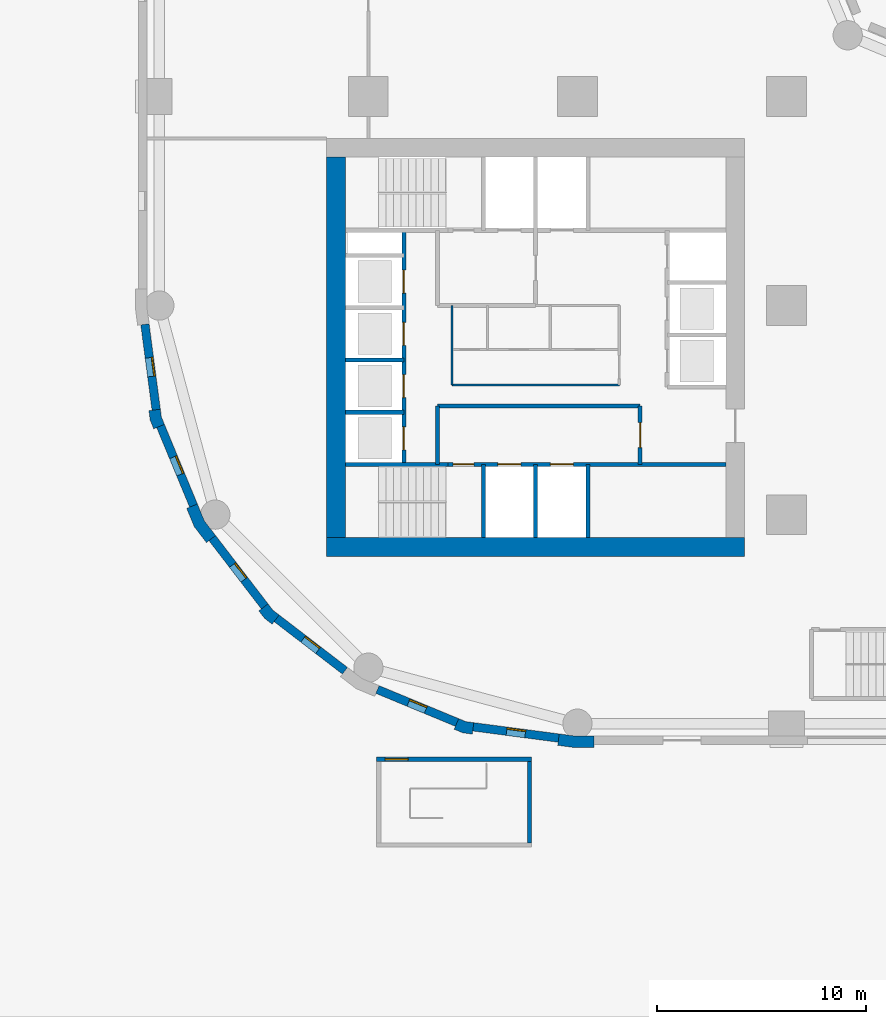
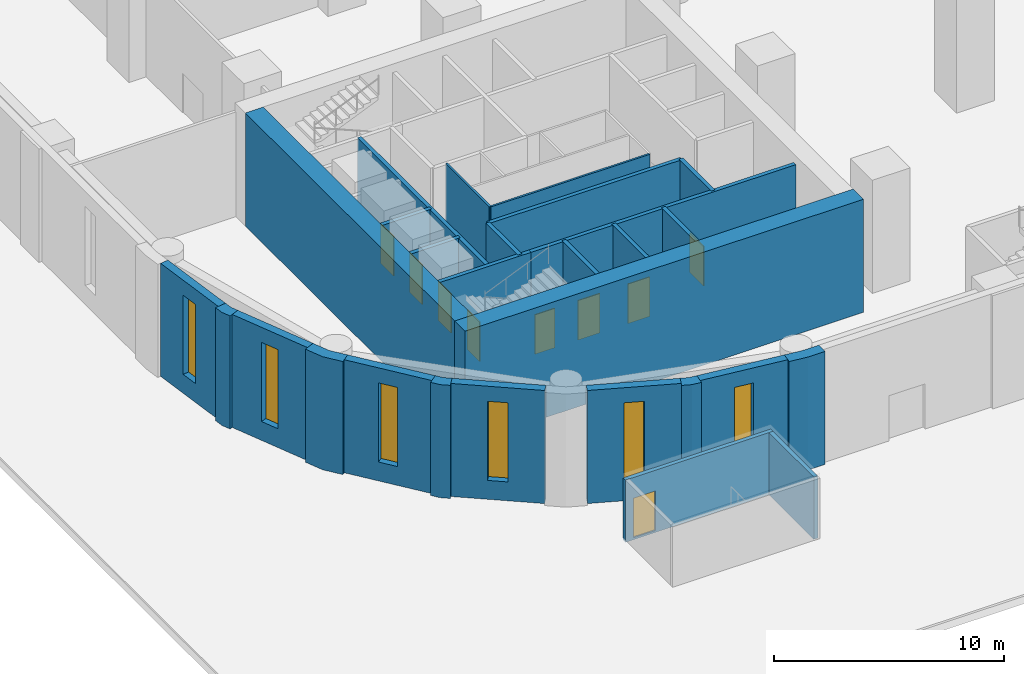
# One storey, part 7 of 21: 28 walls, 9 doors, 6 windows, 15 openings.
"""IFC4 building model written with IfcOpenShell, lengths in metres."""

from ifc_helpers import new_model, si_unit, direction, frame, frame_2d, origin, place, context, subcontext, project, spatial, polyline, rectangle, outline, extrude, material, layer, layer_set, type_object, element, fill, save


model = new_model("IFC4")

# Units and contexts
model_context = context("Model", 3, precision=1e-05, world=origin(), true_north=direction((0.0, 1.0)))
body_context = subcontext(model_context, "Body", "Model", "MODEL_VIEW")
ifc_project = project(units=[si_unit("LENGTHUNIT", "METRE"), si_unit("AREAUNIT", "SQUARE_METRE"), si_unit("VOLUMEUNIT", "CUBIC_METRE"), si_unit("PLANEANGLEUNIT", "RADIAN"), si_unit("MASSUNIT", "GRAM", prefix="KILO")], contexts=[model_context])

# Site, building, storey
site_placement = place(None, origin())
site = spatial("IfcSite", under=ifc_project, at=site_placement, CompositionType="ELEMENT")
building_placement = place(site_placement, origin())
building = spatial("IfcBuilding", under=site, at=building_placement, Name="Qaws Garden Tower", CompositionType="ELEMENT")
storey_placement = place(building_placement, origin())
storey = spatial("IfcBuildingStorey", under=building, at=storey_placement, Name="L00", CompositionType="ELEMENT", Elevation=0.0)

# Walls
ifc_material_1 = material(Name="Plasterboard")
ifc_layer_1 = layer(ifc_material_1, 0.10009765625)
ifc_layer_set_1 = layer_set([ifc_layer_1], Name="Plasterboard")
wall_type_1 = type_object("IfcWallType", Name="Core partition 100", PredefinedType="PARTITIONING", material=ifc_layer_set_1)
wall_1_placement = place(storey_placement, frame((14.0, 16.199951171875, 0.0), z_axis=(0.0, 0.0, 1.0), x_axis=(1.0, 0.0, 0.0)))
element("IfcWall", 1, at=wall_1_placement, inside=storey, type_object=wall_type_1, Name="Core partition", PredefinedType="PARTITIONING", context=body_context, shape_type="SweptSolid", body=[
    extrude(rectangle(XDim=8.0, YDim=0.10009765625, at=frame_2d((4.0, 0.0))), origin(), (0.0, 0.0, 1.0), 5.550048828125),
])
wall_2_placement = place(storey_placement, frame((14.0, 16.199951171875, 0.0), z_axis=(0.0, 0.0, 1.0), x_axis=(0.0, 1.0, 0.0)))
element("IfcWall", 2, at=wall_2_placement, inside=storey, type_object=wall_type_1, Name="Core partition", PredefinedType="PARTITIONING", context=body_context, shape_type="SweptSolid", body=[
    extrude(rectangle(XDim=3.800048828125, YDim=0.10009765625, at=frame_2d((1.89990234375, 0.0))), origin(), (0.0, 0.0, 1.0), 5.550048828125),
])
ifc_material_2 = material(Name="Concrete C80", Category="concrete")
ifc_layer_2 = layer(ifc_material_2, 0.199951171875)
ifc_layer_set_2 = layer_set([ifc_layer_2], Name="Concrete C80")
wall_type_2 = type_object("IfcWallType", Name="Core shaft wall 200 C80", PredefinedType="SHEAR", material=ifc_layer_set_2)
wall_3_placement = place(storey_placement, frame((8.89990234375, 12.39990234375, 0.0), z_axis=(0.0, 0.0, 1.0), x_axis=(1.0, 0.0, 0.0)))
element("IfcWall", 3, at=wall_3_placement, inside=storey, type_object=wall_type_2, Name="Shaft wall", PredefinedType="SHEAR", context=body_context, shape_type="SweptSolid", body=[
    extrude(rectangle(XDim=4.900146484375, YDim=0.199951171875, at=frame_2d((2.4501953125, 0.0))), origin(), (0.0, 0.0, 1.0), 5.550048828125),
])

# Wall, openings, doors
wall_4_placement = place(storey_placement, frame((13.800048828125, 12.39990234375, 0.0), z_axis=(0.0, 0.0, 1.0), x_axis=(1.0, 0.0, 0.0)))
wall_4 = element("IfcWall", 4, at=wall_4_placement, inside=storey, type_object=wall_type_2, Name="Shaft wall", PredefinedType="SHEAR", context=body_context, shape_type="SweptSolid", body=[
    extrude(rectangle(XDim=13.300048828125, YDim=0.199951171875, at=frame_2d((6.64990234375, 0.0))), origin(), (0.0, 0.0, 1.0), 5.550048828125),
])
opening_1_placement = place(wall_4_placement, frame((2.39990234375, 0.0, 0.0)))
opening_1 = element("IfcOpeningElement", 5, at=opening_1_placement, cuts=wall_4, Name="Opening LD08", PredefinedType="OPENING", context=body_context, shape_type="SweptSolid", body=[
    extrude(rectangle(XDim=1.10009765625, YDim=2.10009765625, at=frame_2d((0.550048828125, 1.050048828125))), frame((0.0, 0.10986328125, 0.0), z_axis=(0.0, -1.0, 0.0), x_axis=(1.0, 0.0, 0.0)), (0.0, 0.0, 1.0), 0.219970703125),
])
opening_2_placement = place(wall_4_placement, frame((4.89990234375, 0.0, 0.0)))
opening_2 = element("IfcOpeningElement", 6, at=opening_2_placement, cuts=wall_4, Name="Opening LD09", PredefinedType="OPENING", context=body_context, shape_type="SweptSolid", body=[
    extrude(rectangle(XDim=1.10009765625, YDim=2.10009765625, at=frame_2d((0.550048828125, 1.050048828125))), frame((0.0, 0.10986328125, 0.0), z_axis=(0.0, -1.0, 0.0), x_axis=(1.0, 0.0, 0.0)), (0.0, 0.0, 1.0), 0.219970703125),
])
opening_3_placement = place(wall_4_placement, frame((0.25, 0.0, 0.0)))
opening_3 = element("IfcOpeningElement", 7, at=opening_3_placement, cuts=wall_4, Name="Opening SD12", PredefinedType="OPENING", context=body_context, shape_type="SweptSolid", body=[
    extrude(rectangle(XDim=1.0, YDim=2.10009765625, at=frame_2d((0.5, 1.050048828125))), frame((0.0, 0.10986328125, 0.0), z_axis=(0.0, -1.0, 0.0), x_axis=(1.0, 0.0, 0.0)), (0.0, 0.0, 1.0), 0.219970703125),
])
ifc_material_3 = material(Name="Steel S235", Category="steel")
door_type_1 = type_object("IfcDoorType", Name="Landing door 1100x2100", OperationType="DOUBLE_DOOR_SLIDING", PredefinedType="DOOR", material=ifc_material_3)
door_1_placement = place(opening_1_placement, origin())
door_1 = element("IfcDoor", 8, at=door_1_placement, inside=storey, type_object=door_type_1, Name="Lift FF1 landing door", OperationType="DOUBLE_DOOR_SLIDING", OverallHeight=2.10009765625, OverallWidth=1.10009765625, PredefinedType="DOOR", context=body_context, shape_type="SweptSolid", body=[
    extrude(rectangle(XDim=1.10009765625, YDim=2.10009765625, at=frame_2d((0.550048828125, 1.050048828125))), frame((0.0, 0.02490234375, 0.0), z_axis=(0.0, -1.0, 0.0), x_axis=(1.0, 0.0, 0.0)), (0.0, 0.0, 1.0), 0.050048828125),
])
fill(opening_1, door_1)
door_2_placement = place(opening_2_placement, origin())
door_2 = element("IfcDoor", 9, at=door_2_placement, inside=storey, type_object=door_type_1, Name="Lift FF2 landing door", OperationType="DOUBLE_DOOR_SLIDING", OverallHeight=2.10009765625, OverallWidth=1.10009765625, PredefinedType="DOOR", context=body_context, shape_type="SweptSolid", body=[
    extrude(rectangle(XDim=1.10009765625, YDim=2.10009765625, at=frame_2d((0.550048828125, 1.050048828125))), frame((0.0, 0.02490234375, 0.0), z_axis=(0.0, -1.0, 0.0), x_axis=(1.0, 0.0, 0.0)), (0.0, 0.0, 1.0), 0.050048828125),
])
fill(opening_2, door_2)
ifc_material_4 = material(Name="Steel S235", Category="steel")
door_type_2 = type_object("IfcDoorType", Name="Stair door 1000x2100", OperationType="SINGLE_SWING_RIGHT", PredefinedType="DOOR", material=ifc_material_4)
door_3_placement = place(opening_3_placement, frame((1.0, 0.0, 0.0), z_axis=(0.0, 0.0, 1.0), x_axis=(-1.0, 0.0, 0.0)))
door_3 = element("IfcDoor", 10, at=door_3_placement, inside=storey, type_object=door_type_2, Name="Stair 1 door", OperationType="SINGLE_SWING_LEFT", OverallHeight=2.10009765625, OverallWidth=1.0, PredefinedType="DOOR", context=body_context, shape_type="SweptSolid", body=[
    extrude(rectangle(XDim=1.0, YDim=2.10009765625, at=frame_2d((0.5, 1.050048828125))), frame((0.0, 0.02490234375, 0.0), z_axis=(0.0, -1.0, 0.0), x_axis=(1.0, 0.0, 0.0)), (0.0, 0.0, 1.0), 0.050048828125),
])
fill(opening_3, door_3)

# Walls
wall_5_placement = place(storey_placement, frame((8.89990234375, 14.89990234375, 0.0), z_axis=(0.0, 0.0, 1.0), x_axis=(1.0, 0.0, 0.0)))
element("IfcWall", 11, at=wall_5_placement, inside=storey, type_object=wall_type_2, Name="Shaft wall", PredefinedType="SHEAR", context=body_context, shape_type="SweptSolid", body=[
    extrude(rectangle(XDim=2.800048828125, YDim=0.199951171875, at=frame_2d((1.39990234375, 0.0))), origin(), (0.0, 0.0, 1.0), 5.550048828125),
])
wall_6_placement = place(storey_placement, frame((13.300048828125, 15.199951171875, 0.0), z_axis=(0.0, 0.0, 1.0), x_axis=(1.0, 0.0, 0.0)))
element("IfcWall", 12, at=wall_6_placement, inside=storey, type_object=wall_type_2, Name="Shaft wall", PredefinedType="SHEAR", context=body_context, shape_type="SweptSolid", body=[
    extrude(rectangle(XDim=9.699951171875, YDim=0.199951171875, at=frame_2d((4.85009765625, 0.0))), origin(), (0.0, 0.0, 1.0), 5.550048828125),
])
wall_7_placement = place(storey_placement, frame((8.89990234375, 17.39990234375, 0.0), z_axis=(0.0, 0.0, 1.0), x_axis=(1.0, 0.0, 0.0)))
element("IfcWall", 13, at=wall_7_placement, inside=storey, type_object=wall_type_2, Name="Shaft wall", PredefinedType="SHEAR", context=body_context, shape_type="SweptSolid", body=[
    extrude(rectangle(XDim=2.800048828125, YDim=0.199951171875, at=frame_2d((1.39990234375, 0.0))), origin(), (0.0, 0.0, 1.0), 5.550048828125),
])

# Wall, openings, doors
wall_8_placement = place(storey_placement, frame((11.699951171875, 12.39990234375, 0.0), z_axis=(0.0, 0.0, 1.0), x_axis=(0.0, 1.0, 0.0)))
wall_8 = element("IfcWall", 14, at=wall_8_placement, inside=storey, type_object=wall_type_2, Name="Shaft wall", PredefinedType="SHEAR", context=body_context, shape_type="SweptSolid", body=[
    extrude(rectangle(XDim=11.2001953125, YDim=0.199951171875, at=frame_2d((5.60009765625, 0.0))), origin(), (0.0, 0.0, 1.0), 5.550048828125),
])
opening_4_placement = place(wall_8_placement, frame((0.699951171875, 0.0, 0.0)))
opening_4 = element("IfcOpeningElement", 15, at=opening_4_placement, cuts=wall_8, Name="Opening LD01", PredefinedType="OPENING", context=body_context, shape_type="SweptSolid", body=[
    extrude(rectangle(XDim=1.10009765625, YDim=2.10009765625, at=frame_2d((0.550048828125, 1.050048828125))), frame((0.0, 0.10986328125, 0.0), z_axis=(0.0, -1.0, 0.0), x_axis=(1.0, 0.0, 0.0)), (0.0, 0.0, 1.0), 0.219970703125),
])
opening_5_placement = place(wall_8_placement, frame((3.199951171875, 0.0, 0.0)))
opening_5 = element("IfcOpeningElement", 16, at=opening_5_placement, cuts=wall_8, Name="Opening LD02", PredefinedType="OPENING", context=body_context, shape_type="SweptSolid", body=[
    extrude(rectangle(XDim=1.10009765625, YDim=2.10009765625, at=frame_2d((0.550048828125, 1.050048828125))), frame((0.0, 0.10986328125, 0.0), z_axis=(0.0, -1.0, 0.0), x_axis=(1.0, 0.0, 0.0)), (0.0, 0.0, 1.0), 0.219970703125),
])
opening_6_placement = place(wall_8_placement, frame((5.699951171875, 0.0, 0.0)))
opening_6 = element("IfcOpeningElement", 17, at=opening_6_placement, cuts=wall_8, Name="Opening LD03", PredefinedType="OPENING", context=body_context, shape_type="SweptSolid", body=[
    extrude(rectangle(XDim=1.10009765625, YDim=2.10009765625, at=frame_2d((0.550048828125, 1.050048828125))), frame((0.0, 0.10986328125, 0.0), z_axis=(0.0, -1.0, 0.0), x_axis=(1.0, 0.0, 0.0)), (0.0, 0.0, 1.0), 0.219970703125),
])
opening_7_placement = place(wall_8_placement, frame((8.199951171875, 0.0, 0.0)))
opening_7 = element("IfcOpeningElement", 18, at=opening_7_placement, cuts=wall_8, Name="Opening LD04", PredefinedType="OPENING", context=body_context, shape_type="SweptSolid", body=[
    extrude(rectangle(XDim=1.10009765625, YDim=2.10009765625, at=frame_2d((0.550048828125, 1.050048828125))), frame((0.0, 0.10986328125, 0.0), z_axis=(0.0, -1.0, 0.0), x_axis=(1.0, 0.0, 0.0)), (0.0, 0.0, 1.0), 0.219970703125),
])
door_4_placement = place(opening_4_placement, origin())
door_4 = element("IfcDoor", 19, at=door_4_placement, inside=storey, type_object=door_type_1, Name="Lift W1 landing door", OperationType="DOUBLE_DOOR_SLIDING", OverallHeight=2.10009765625, OverallWidth=1.10009765625, PredefinedType="DOOR", context=body_context, shape_type="SweptSolid", body=[
    extrude(rectangle(XDim=1.10009765625, YDim=2.10009765625, at=frame_2d((0.550048828125, 1.050048828125))), frame((0.0, 0.02490234375, 0.0), z_axis=(0.0, -1.0, 0.0), x_axis=(1.0, 0.0, 0.0)), (0.0, 0.0, 1.0), 0.050048828125),
])
fill(opening_4, door_4)
door_5_placement = place(opening_5_placement, origin())
door_5 = element("IfcDoor", 20, at=door_5_placement, inside=storey, type_object=door_type_1, Name="Lift W2 landing door", OperationType="DOUBLE_DOOR_SLIDING", OverallHeight=2.10009765625, OverallWidth=1.10009765625, PredefinedType="DOOR", context=body_context, shape_type="SweptSolid", body=[
    extrude(rectangle(XDim=1.10009765625, YDim=2.10009765625, at=frame_2d((0.550048828125, 1.050048828125))), frame((0.0, 0.02490234375, 0.0), z_axis=(0.0, -1.0, 0.0), x_axis=(1.0, 0.0, 0.0)), (0.0, 0.0, 1.0), 0.050048828125),
])
fill(opening_5, door_5)
door_6_placement = place(opening_6_placement, origin())
door_6 = element("IfcDoor", 21, at=door_6_placement, inside=storey, type_object=door_type_1, Name="Lift W3 landing door", OperationType="DOUBLE_DOOR_SLIDING", OverallHeight=2.10009765625, OverallWidth=1.10009765625, PredefinedType="DOOR", context=body_context, shape_type="SweptSolid", body=[
    extrude(rectangle(XDim=1.10009765625, YDim=2.10009765625, at=frame_2d((0.550048828125, 1.050048828125))), frame((0.0, 0.02490234375, 0.0), z_axis=(0.0, -1.0, 0.0), x_axis=(1.0, 0.0, 0.0)), (0.0, 0.0, 1.0), 0.050048828125),
])
fill(opening_6, door_6)
door_7_placement = place(opening_7_placement, origin())
door_7 = element("IfcDoor", 22, at=door_7_placement, inside=storey, type_object=door_type_1, Name="Lift W4 landing door", OperationType="DOUBLE_DOOR_SLIDING", OverallHeight=2.10009765625, OverallWidth=1.10009765625, PredefinedType="DOOR", context=body_context, shape_type="SweptSolid", body=[
    extrude(rectangle(XDim=1.10009765625, YDim=2.10009765625, at=frame_2d((0.550048828125, 1.050048828125))), frame((0.0, 0.02490234375, 0.0), z_axis=(0.0, -1.0, 0.0), x_axis=(1.0, 0.0, 0.0)), (0.0, 0.0, 1.0), 0.050048828125),
])
fill(opening_7, door_7)

# Walls
wall_9_placement = place(storey_placement, frame((13.300048828125, 12.39990234375, 0.0), z_axis=(0.0, 0.0, 1.0), x_axis=(0.0, 1.0, 0.0)))
element("IfcWall", 23, at=wall_9_placement, inside=storey, type_object=wall_type_2, Name="Shaft wall", PredefinedType="SHEAR", context=body_context, shape_type="SweptSolid", body=[
    extrude(rectangle(XDim=2.800048828125, YDim=0.199951171875, at=frame_2d((1.39990234375, 0.0))), origin(), (0.0, 0.0, 1.0), 5.550048828125),
])
for number, where, z_axis, x_axis, name in (
    (24, (15.5, 8.89990234375, 0.0), (0.0, 0.0, 1.0), (0.0, 1.0, 0.0), "Shaft wall"),
    (25, (18.0, 8.89990234375, 0.0), (0.0, 0.0, 1.0), (0.0, 1.0, 0.0), "Shaft wall"),
    (26, (20.5, 8.89990234375, 0.0), (0.0, 0.0, 1.0), (0.0, 1.0, 0.0), "Shaft wall"),
):
    element("IfcWall", number, at=place(storey_placement, frame(where, z_axis=z_axis, x_axis=x_axis)), inside=storey, type_object=wall_type_2, Name=name, PredefinedType="SHEAR", context=body_context, shape_type="SweptSolid", body=[
        extrude(rectangle(XDim=3.5, YDim=0.199951171875, at=frame_2d((1.75, 0.0))), origin(), (0.0, 0.0, 1.0), 5.550048828125),
    ])

# Wall, opening, door
wall_10_placement = place(storey_placement, frame((23.0, 12.39990234375, 0.0), z_axis=(0.0, 0.0, 1.0), x_axis=(0.0, 1.0, 0.0)))
wall_10 = element("IfcWall", 27, at=wall_10_placement, inside=storey, type_object=wall_type_2, Name="Shaft wall", PredefinedType="SHEAR", context=body_context, shape_type="SweptSolid", body=[
    extrude(rectangle(XDim=2.800048828125, YDim=0.199951171875, at=frame_2d((1.39990234375, 0.0))), origin(), (0.0, 0.0, 1.0), 5.550048828125),
])
opening_8_placement = place(wall_10_placement, frame((0.800048828125, 0.0, 0.0)))
opening_8 = element("IfcOpeningElement", 28, at=opening_8_placement, cuts=wall_10, Name="Opening FD17", PredefinedType="OPENING", context=body_context, shape_type="SweptSolid", body=[
    extrude(rectangle(XDim=1.199951171875, YDim=2.10009765625, at=frame_2d((0.60009765625, 1.050048828125))), frame((0.0, 0.10986328125, 0.0), z_axis=(0.0, -1.0, 0.0), x_axis=(1.0, 0.0, 0.0)), (0.0, 0.0, 1.0), 0.219970703125),
])
ifc_material_5 = material(Name="Steel S235", Category="steel")
door_type_3 = type_object("IfcDoorType", Name="Lobby door 1200x2100", OperationType="DOUBLE_DOOR_SINGLE_SWING", PredefinedType="DOOR", material=ifc_material_5)
door_8_placement = place(opening_8_placement, origin())
door_8 = element("IfcDoor", 29, at=door_8_placement, inside=storey, type_object=door_type_3, Name="Fire-fighting lobby door", OperationType="DOUBLE_DOOR_SINGLE_SWING", OverallHeight=2.10009765625, OverallWidth=1.199951171875, PredefinedType="DOOR", context=body_context, shape_type="SweptSolid", body=[
    extrude(rectangle(XDim=1.199951171875, YDim=2.10009765625, at=frame_2d((0.60009765625, 1.050048828125))), frame((0.0, 0.02490234375, 0.0), z_axis=(0.0, -1.0, 0.0), x_axis=(1.0, 0.0, 0.0)), (0.0, 0.0, 1.0), 0.050048828125),
])
fill(opening_8, door_8)

# Walls
ifc_material_6 = material(Name="Concrete C80", Category="concrete")
ifc_layer_3 = layer(ifc_material_6, 0.89990234375)
ifc_layer_set_3 = layer_set([ifc_layer_3], Name="Concrete C80")
wall_type_3 = type_object("IfcWallType", Name="Core wall 900 C80", PredefinedType="SHEAR", material=ifc_layer_set_3)
wall_11_placement = place(storey_placement, frame((8.0, 8.449951171875, 0.0), z_axis=(0.0, 0.0, 1.0), x_axis=(1.0, 0.0, 0.0)))
element("IfcWall", 30, at=wall_11_placement, inside=storey, type_object=wall_type_3, Name="Core wall L00 south", PredefinedType="SHEAR", context=body_context, shape_type="SweptSolid", body=[
    extrude(rectangle(XDim=20.0, YDim=0.89990234375, at=frame_2d((10.0, 0.0))), origin(), (0.0, 0.0, 1.0), 6.0),
])
wall_12_placement = place(storey_placement, frame((8.449951171875, 27.10009765625, 0.0), z_axis=(0.0, 0.0, 1.0), x_axis=(0.0, -1.0, 0.0)))
element("IfcWall", 31, at=wall_12_placement, inside=storey, type_object=wall_type_3, Name="Core wall L00 west", PredefinedType="SHEAR", context=body_context, shape_type="SweptSolid", body=[
    extrude(rectangle(XDim=18.2001953125, YDim=0.89990234375, at=frame_2d((9.10009765625, 0.0))), origin(), (0.0, 0.0, 1.0), 6.0),
])

# Wall, opening, door
ifc_material_7 = material(Name="Concrete C40", Category="concrete")
ifc_layer_4 = layer(ifc_material_7, 0.199951171875)
ifc_layer_set_4 = layer_set([ifc_layer_4], Name="Concrete C40")
wall_type_4 = type_object("IfcWallType", Name="Stair enclosure wall 200", PredefinedType="SOLIDWALL", material=ifc_layer_set_4)
wall_13_placement = place(storey_placement, frame((10.39990234375, -1.699951171875, -0.10009765625), z_axis=(0.0, 0.0, 1.0), x_axis=(1.0, 0.0, 0.0)))
wall_13 = element("IfcWall", 32, at=wall_13_placement, inside=storey, type_object=wall_type_4, Name="Stair S1 enclosure wall", PredefinedType="SOLIDWALL", context=body_context, shape_type="SweptSolid", body=[
    extrude(rectangle(XDim=7.400146484375, YDim=0.199951171875, at=frame_2d((3.7001953125, 0.0))), origin(), (0.0, 0.0, 1.0), 3.300048828125),
])
opening_9_placement = place(wall_13_placement, frame((0.39990234375, 0.0, 0.10009765625)))
opening_9 = element("IfcOpeningElement", 33, at=opening_9_placement, cuts=wall_13, Name="Opening PD4-05", PredefinedType="OPENING", context=body_context, shape_type="SweptSolid", body=[
    extrude(rectangle(XDim=1.10009765625, YDim=2.10009765625, at=frame_2d((0.550048828125, 1.050048828125))), frame((0.0, 0.10986328125, 0.0), z_axis=(0.0, -1.0, 0.0), x_axis=(1.0, 0.0, 0.0)), (0.0, 0.0, 1.0), 0.219970703125),
])
ifc_material_8 = material(Name="Steel S235 framed door leaf", Category="steel")
door_type_4 = type_object("IfcDoorType", Name="Door D4 fire stair 1100", OperationType="SINGLE_SWING_LEFT", PredefinedType="DOOR", material=ifc_material_8)
door_9_placement = place(opening_9_placement, origin())
door_9 = element("IfcDoor", 34, at=door_9_placement, inside=storey, type_object=door_type_4, Name="Exit stair door", OperationType="SINGLE_SWING_RIGHT", OverallHeight=2.10009765625, OverallWidth=1.10009765625, PredefinedType="DOOR", context=body_context, shape_type="SweptSolid", body=[
    extrude(rectangle(XDim=1.10009765625, YDim=2.10009765625, at=frame_2d((0.550048828125, 1.050048828125))), frame((0.0, 0.02490234375, 0.0), z_axis=(0.0, -1.0, 0.0), x_axis=(1.0, 0.0, 0.0)), (0.0, 0.0, 1.0), 0.050048828125),
])
fill(opening_9, door_9)

# Wall
wall_14_placement = place(storey_placement, frame((17.699951171875, -1.800048828125, -0.10009765625), z_axis=(0.0, 0.0, 1.0), x_axis=(0.0, -1.0, 0.0)))
element("IfcWall", 35, at=wall_14_placement, inside=storey, type_object=wall_type_4, Name="Stair S1 enclosure wall", PredefinedType="SOLIDWALL", context=body_context, shape_type="SweptSolid", body=[
    extrude(rectangle(XDim=3.89990234375, YDim=0.199951171875, at=frame_2d((1.949951171875, 0.0))), origin(), (0.0, 0.0, 1.0), 3.300048828125),
])

# Wall, opening, window
ifc_material_9 = material(Name="Limestone ashlar masonry", Category="masonry")
ifc_layer_5 = layer(ifc_material_9, 0.39990234375)
ifc_layer_set_5 = layer_set([ifc_layer_5], Name="Limestone ashlar masonry")
wall_type_5 = type_object("IfcWallType", Name="Stone infill wall 400", PredefinedType="SOLIDWALL", material=ifc_layer_set_5)
wall_15_placement = place(storey_placement, frame((-0.688720703125, 19.102294921875, 0.0), z_axis=(0.0, 0.0, 1.0), x_axis=(0.130514280502, -0.991446429508, 0.0)))
wall_15 = element("IfcWall", 36, at=wall_15_placement, inside=storey, type_object=wall_type_5, Name="E-L00-infill-27", PredefinedType="SOLIDWALL", context=body_context, shape_type="SweptSolid", body=[
    extrude(rectangle(XDim=4.120849609375, YDim=0.39990234375, at=frame_2d((2.060546875, 0.0))), origin(), (0.0, 0.0, 1.0), 6.0),
])
opening_10_placement = place(wall_15_placement, frame((1.610595703125, 0.0, 1.0)))
opening_10 = element("IfcOpeningElement", 37, at=opening_10_placement, cuts=wall_15, Name="Opening W11", PredefinedType="OPENING", context=body_context, shape_type="SweptSolid", body=[
    extrude(rectangle(XDim=0.89990234375, YDim=4.199951171875, at=frame_2d((0.449951171875, 2.10009765625))), frame((0.0, 0.2099609375, 0.0), z_axis=(0.0, -1.0, 0.0), x_axis=(1.0, 0.0, 0.0)), (0.0, 0.0, 1.0), 0.419921875),
])
ifc_material_10 = material(Name="Aluminium framed window, clear glazing", Category="aluminium")
window_type = type_object("IfcWindowType", Name="Slit window 900 x 4200", PartitioningType="SINGLE_PANEL", PredefinedType="WINDOW", material=ifc_material_10)
window_1_placement = place(opening_10_placement, origin())
window_1 = element("IfcWindow", 38, at=window_1_placement, inside=storey, type_object=window_type, Name="E-L00-window-27-0", OverallHeight=4.199951171875, OverallWidth=0.89990234375, PartitioningType="SINGLE_PANEL", PredefinedType="WINDOW", context=body_context, shape_type="SweptSolid", body=[
    extrude(rectangle(XDim=0.89990234375, YDim=4.199951171875, at=frame_2d((0.449951171875, 2.10009765625))), frame((0.0, 0.159912109375, 0.0), z_axis=(0.0, -1.0, 0.0), x_axis=(1.0, 0.0, 0.0)), (0.0, 0.0, 1.0), 0.06005859375),
])
fill(opening_10, window_1)

wall_16_placement = place(storey_placement, frame((0.05712890625, 14.240234375, 0.0), z_axis=(0.0, 0.0, 1.0), x_axis=(0.382721546029, -0.923863744394, 0.0)))
wall_16 = element("IfcWall", 39, at=wall_16_placement, inside=storey, type_object=wall_type_5, Name="E-L00-infill-28", PredefinedType="SOLIDWALL", context=body_context, shape_type="SweptSolid", body=[
    extrude(rectangle(XDim=4.120849609375, YDim=0.39990234375, at=frame_2d((2.060546875, 0.0))), origin(), (0.0, 0.0, 1.0), 6.0),
])
opening_11_placement = place(wall_16_placement, frame((1.610595703125, 0.0, 1.0)))
opening_11 = element("IfcOpeningElement", 40, at=opening_11_placement, cuts=wall_16, Name="Opening W11", PredefinedType="OPENING", context=body_context, shape_type="SweptSolid", body=[
    extrude(rectangle(XDim=0.89990234375, YDim=4.199951171875, at=frame_2d((0.449951171875, 2.10009765625))), frame((0.0, 0.2099609375, 0.0), z_axis=(0.0, -1.0, 0.0), x_axis=(1.0, 0.0, 0.0)), (0.0, 0.0, 1.0), 0.419921875),
])
window_2_placement = place(opening_11_placement, origin())
window_2 = element("IfcWindow", 41, at=window_2_placement, inside=storey, type_object=window_type, Name="E-L00-window-28-0", OverallHeight=4.199951171875, OverallWidth=0.89990234375, PartitioningType="SINGLE_PANEL", PredefinedType="WINDOW", context=body_context, shape_type="SweptSolid", body=[
    extrude(rectangle(XDim=0.89990234375, YDim=4.199951171875, at=frame_2d((0.449951171875, 2.10009765625))), frame((0.0, 0.159912109375, 0.0), z_axis=(0.0, -1.0, 0.0), x_axis=(1.0, 0.0, 0.0)), (0.0, 0.0, 1.0), 0.06005859375),
])
fill(opening_11, window_2)

wall_17_placement = place(storey_placement, frame((2.53173828125, 8.87841796875, 0.0), z_axis=(0.0, 0.0, 1.0), x_axis=(0.608759824817, -0.793354571229, 0.0)))
wall_17 = element("IfcWall", 42, at=wall_17_placement, inside=storey, type_object=wall_type_5, Name="E-L00-infill-29", PredefinedType="SOLIDWALL", context=body_context, shape_type="SweptSolid", body=[
    extrude(rectangle(XDim=4.12109375, YDim=0.39990234375, at=frame_2d((2.060546875, 0.0))), origin(), (0.0, 0.0, 1.0), 6.0),
])
opening_12_placement = place(wall_17_placement, frame((1.610595703125, 0.0, 1.0)))
opening_12 = element("IfcOpeningElement", 43, at=opening_12_placement, cuts=wall_17, Name="Opening W11", PredefinedType="OPENING", context=body_context, shape_type="SweptSolid", body=[
    extrude(rectangle(XDim=0.89990234375, YDim=4.199951171875, at=frame_2d((0.449951171875, 2.10009765625))), frame((0.0, 0.2099609375, 0.0), z_axis=(0.0, -1.0, 0.0), x_axis=(1.0, 0.0, 0.0)), (0.0, 0.0, 1.0), 0.419921875),
])
window_3_placement = place(opening_12_placement, origin())
window_3 = element("IfcWindow", 44, at=window_3_placement, inside=storey, type_object=window_type, Name="E-L00-window-29-0", OverallHeight=4.199951171875, OverallWidth=0.89990234375, PartitioningType="SINGLE_PANEL", PredefinedType="WINDOW", context=body_context, shape_type="SweptSolid", body=[
    extrude(rectangle(XDim=0.89990234375, YDim=4.199951171875, at=frame_2d((0.449951171875, 2.10009765625))), frame((0.0, 0.159912109375, 0.0), z_axis=(0.0, -1.0, 0.0), x_axis=(1.0, 0.0, 0.0)), (0.0, 0.0, 1.0), 0.06005859375),
])
fill(opening_12, window_3)

wall_18_placement = place(storey_placement, frame((5.60888671875, 5.04052734375, 0.0), z_axis=(0.0, 0.0, 1.0), x_axis=(0.793354571229, -0.608759824817, 0.0)))
wall_18 = element("IfcWall", 45, at=wall_18_placement, inside=storey, type_object=wall_type_5, Name="E-L00-infill-30", PredefinedType="SOLIDWALL", context=body_context, shape_type="SweptSolid", body=[
    extrude(rectangle(XDim=4.12109375, YDim=0.39990234375, at=frame_2d((2.060546875, 0.0))), origin(), (0.0, 0.0, 1.0), 6.0),
])
opening_13_placement = place(wall_18_placement, frame((1.610595703125, 0.0, 1.0)))
opening_13 = element("IfcOpeningElement", 46, at=opening_13_placement, cuts=wall_18, Name="Opening W11", PredefinedType="OPENING", context=body_context, shape_type="SweptSolid", body=[
    extrude(rectangle(XDim=0.89990234375, YDim=4.199951171875, at=frame_2d((0.449951171875, 2.10009765625))), frame((0.0, 0.2099609375, 0.0), z_axis=(0.0, -1.0, 0.0), x_axis=(1.0, 0.0, 0.0)), (0.0, 0.0, 1.0), 0.419921875),
])
window_4_placement = place(opening_13_placement, origin())
window_4 = element("IfcWindow", 47, at=window_4_placement, inside=storey, type_object=window_type, Name="E-L00-window-30-0", OverallHeight=4.199951171875, OverallWidth=0.89990234375, PartitioningType="SINGLE_PANEL", PredefinedType="WINDOW", context=body_context, shape_type="SweptSolid", body=[
    extrude(rectangle(XDim=0.89990234375, YDim=4.199951171875, at=frame_2d((0.449951171875, 2.10009765625))), frame((0.0, 0.159912109375, 0.0), z_axis=(0.0, -1.0, 0.0), x_axis=(1.0, 0.0, 0.0)), (0.0, 0.0, 1.0), 0.06005859375),
])
fill(opening_13, window_4)

wall_19_placement = place(storey_placement, frame((10.43310546875, 1.63427734375, 0.0), z_axis=(0.0, 0.0, 1.0), x_axis=(0.923863744394, -0.382721546029, 0.0)))
wall_19 = element("IfcWall", 48, at=wall_19_placement, inside=storey, type_object=wall_type_5, Name="E-L00-infill-31", PredefinedType="SOLIDWALL", context=body_context, shape_type="SweptSolid", body=[
    extrude(rectangle(XDim=4.120849609375, YDim=0.39990234375, at=frame_2d((2.060546875, 0.0))), origin(), (0.0, 0.0, 1.0), 6.0),
])
opening_14_placement = place(wall_19_placement, frame((1.610595703125, 0.0, 1.0)))
opening_14 = element("IfcOpeningElement", 49, at=opening_14_placement, cuts=wall_19, Name="Opening W11", PredefinedType="OPENING", context=body_context, shape_type="SweptSolid", body=[
    extrude(rectangle(XDim=0.89990234375, YDim=4.199951171875, at=frame_2d((0.449951171875, 2.10009765625))), frame((0.0, 0.2099609375, 0.0), z_axis=(0.0, -1.0, 0.0), x_axis=(1.0, 0.0, 0.0)), (0.0, 0.0, 1.0), 0.419921875),
])
window_5_placement = place(opening_14_placement, origin())
window_5 = element("IfcWindow", 50, at=window_5_placement, inside=storey, type_object=window_type, Name="E-L00-window-31-0", OverallHeight=4.199951171875, OverallWidth=0.89990234375, PartitioningType="SINGLE_PANEL", PredefinedType="WINDOW", context=body_context, shape_type="SweptSolid", body=[
    extrude(rectangle(XDim=0.89990234375, YDim=4.199951171875, at=frame_2d((0.449951171875, 2.10009765625))), frame((0.0, 0.159912109375, 0.0), z_axis=(0.0, -1.0, 0.0), x_axis=(1.0, 0.0, 0.0)), (0.0, 0.0, 1.0), 0.06005859375),
])
fill(opening_14, window_5)

wall_20_placement = place(storey_placement, frame((15.0166015625, -0.15087890625, 0.0), z_axis=(0.0, 0.0, 1.0), x_axis=(0.991446429508, -0.130514280502, 0.0)))
wall_20 = element("IfcWall", 51, at=wall_20_placement, inside=storey, type_object=wall_type_5, Name="E-L00-infill-32", PredefinedType="SOLIDWALL", context=body_context, shape_type="SweptSolid", body=[
    extrude(rectangle(XDim=4.120849609375, YDim=0.39990234375, at=frame_2d((2.060546875, 0.0))), origin(), (0.0, 0.0, 1.0), 6.0),
])
opening_15_placement = place(wall_20_placement, frame((1.610595703125, 0.0, 1.0)))
opening_15 = element("IfcOpeningElement", 52, at=opening_15_placement, cuts=wall_20, Name="Opening W11", PredefinedType="OPENING", context=body_context, shape_type="SweptSolid", body=[
    extrude(rectangle(XDim=0.89990234375, YDim=4.199951171875, at=frame_2d((0.449951171875, 2.10009765625))), frame((0.0, 0.2099609375, 0.0), z_axis=(0.0, -1.0, 0.0), x_axis=(1.0, 0.0, 0.0)), (0.0, 0.0, 1.0), 0.419921875),
])
window_6_placement = place(opening_15_placement, origin())
window_6 = element("IfcWindow", 53, at=window_6_placement, inside=storey, type_object=window_type, Name="E-L00-window-32-0", OverallHeight=4.199951171875, OverallWidth=0.89990234375, PartitioningType="SINGLE_PANEL", PredefinedType="WINDOW", context=body_context, shape_type="SweptSolid", body=[
    extrude(rectangle(XDim=0.89990234375, YDim=4.199951171875, at=frame_2d((0.449951171875, 2.10009765625))), frame((0.0, 0.159912109375, 0.0), z_axis=(0.0, -1.0, 0.0), x_axis=(1.0, 0.0, 0.0)), (0.0, 0.0, 1.0), 0.06005859375),
])
fill(opening_15, window_6)

# Walls
ifc_material_11 = material(Name="Limestone ashlar masonry", Category="masonry")
ifc_layer_6 = layer(ifc_material_11, 0.550048828125)
ifc_layer_set_6 = layer_set([ifc_layer_6], Name="Limestone ashlar masonry")
wall_type_6 = type_object("IfcWallType", Name="Stone kink pier 550 x 600", PredefinedType="SOLIDWALL", material=ifc_layer_set_6)
placement = place(storey_placement, origin())
element("IfcWall", 54, at=placement, inside=storey, type_object=wall_type_6, Name="E-L00-pier-28", PredefinedType="SOLIDWALL", context=body_context, shape_type="SweptSolid", body=[
    extrude(outline(polyline([(-0.34912109375, 14.990478515625), (-0.497802734375, 14.970947265625), (-0.43896484375, 14.5234375), (-0.26611328125, 14.1064453125), (-0.127685546875, 14.163818359375), (0.241943359375, 14.31689453125), (0.096923828125, 14.6669921875), (0.04736328125, 15.042724609375), (-0.34912109375, 14.990478515625)])), origin(), (0.0, 0.0, 1.0), 6.0),
])
element("IfcWall", 55, at=placement, inside=storey, type_object=wall_type_6, Name="E-L00-pier-30", PredefinedType="SOLIDWALL", context=body_context, shape_type="SweptSolid", body=[
    extrude(outline(polyline([(4.8818359375, 5.487060546875), (4.762939453125, 5.395751953125), (5.03759765625, 5.03759765625), (5.395751953125, 4.762939453125), (5.487060546875, 4.8818359375), (5.730712890625, 5.19921875), (5.429931640625, 5.429931640625), (5.19921875, 5.730712890625), (4.8818359375, 5.487060546875)])), origin(), (0.0, 0.0, 1.0), 6.0),
])
element("IfcWall", 56, at=placement, inside=storey, type_object=wall_type_6, Name="E-L00-pier-32", PredefinedType="SOLIDWALL", context=body_context, shape_type="SweptSolid", body=[
    extrude(outline(polyline([(14.163818359375, -0.127685546875), (14.1064453125, -0.26611328125), (14.5234375, -0.43896484375), (14.970947265625, -0.497802734375), (14.990478515625, -0.34912109375), (15.042724609375, 0.04736328125), (14.6669921875, 0.096923828125), (14.31689453125, 0.241943359375), (14.163818359375, -0.127685546875)])), origin(), (0.0, 0.0, 1.0), 6.0),
])
ifc_material_12 = material(Name="Limestone ashlar masonry", Category="masonry")
ifc_layer_7 = layer(ifc_material_12, 0.550048828125)
ifc_layer_set_7 = layer_set([ifc_layer_7], Name="Limestone ashlar masonry")
wall_type_7 = type_object("IfcWallType", Name="Stone pier 550 x 1600", PredefinedType="SOLIDWALL", material=ifc_layer_set_7)
element("IfcWall", 57, at=placement, inside=storey, type_object=wall_type_7, Name="E-L00-pier-00", PredefinedType="SOLIDWALL", context=body_context, shape_type="SweptSolid", body=[
    extrude(outline(polyline([(19.076416015625, -0.886962890625), (19.056640625, -1.03564453125), (19.924560546875, -1.14990234375), (20.800048828125, -1.14990234375), (20.800048828125, -1.0), (20.800048828125, -0.60009765625), (19.960693359375, -0.60009765625), (19.12841796875, -0.490478515625), (19.076416015625, -0.886962890625)])), origin(), (0.0, 0.0, 1.0), 6.0),
])
element("IfcWall", 58, at=placement, inside=storey, type_object=wall_type_7, Name="E-L00-pier-29", PredefinedType="SOLIDWALL", context=body_context, shape_type="SweptSolid", body=[
    extrude(outline(polyline([(1.449462890625, 10.3564453125), (1.310791015625, 10.299072265625), (1.675048828125, 9.419921875), (2.254150390625, 8.665283203125), (2.373046875, 8.756591796875), (2.6904296875, 9.0), (2.1552734375, 9.697509765625), (1.819091796875, 10.509521484375), (1.449462890625, 10.3564453125)])), origin(), (0.0, 0.0, 1.0), 6.0),
])

save(model, "model.ifc")
